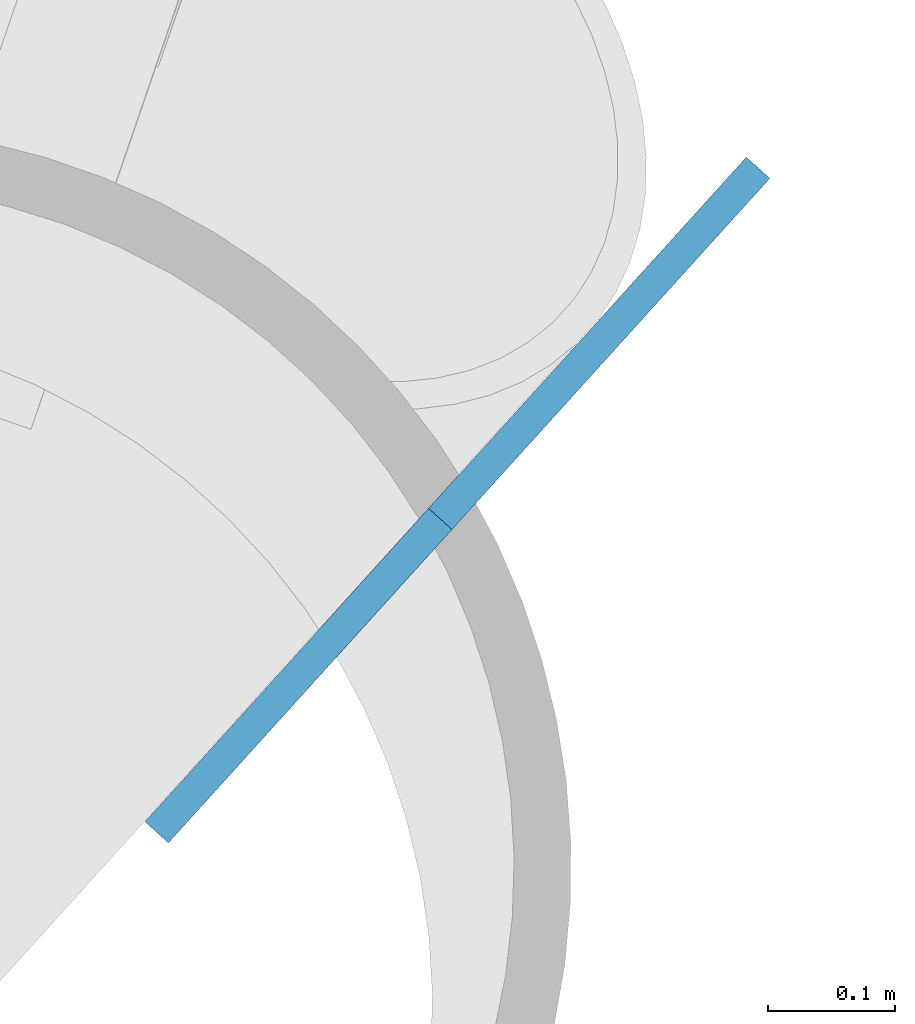
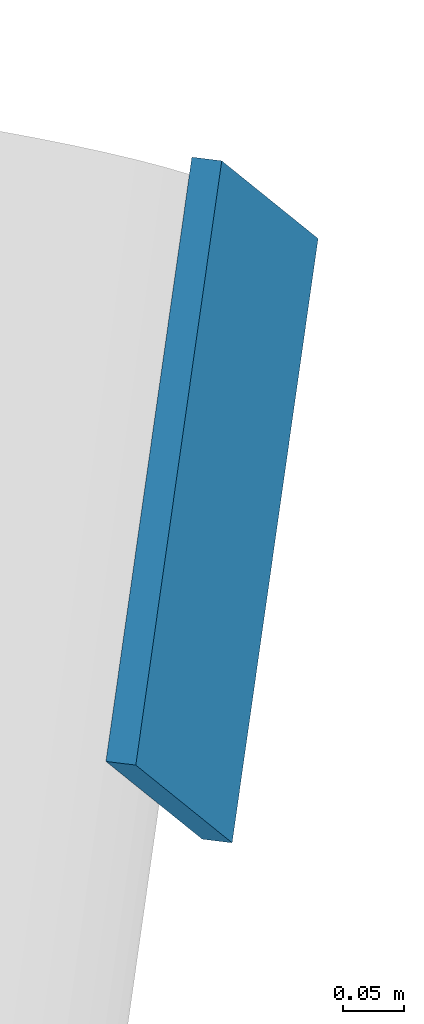
# One storey, part 11 of 23: 1 discrete accessory.
"""IFC4 building model written with IfcOpenShell, lengths in metres."""

from ifc_helpers import new_model, si_unit, direction, frame, origin, origin_2d, place, context, subcontext, project, spatial, rectangle, extrude, material, material_profile, profile_set, type_object, element, save


model = new_model("IFC4")

# Units and contexts
model_context = context("Model", 3, precision=1e-05, world=origin(), true_north=direction((0.0, 1.0)))
body_context = subcontext(model_context, "Body", "Model", "MODEL_VIEW")
ifc_project = project(units=[si_unit("LENGTHUNIT", "METRE"), si_unit("AREAUNIT", "SQUARE_METRE"), si_unit("VOLUMEUNIT", "CUBIC_METRE"), si_unit("PLANEANGLEUNIT", "RADIAN"), si_unit("MASSUNIT", "GRAM", prefix="KILO")], contexts=[model_context])

# Site, building, storey
site_placement = place(None, origin())
site = spatial("IfcSite", under=ifc_project, at=site_placement, CompositionType="ELEMENT")
building_placement = place(site_placement, origin())
building = spatial("IfcBuilding", under=site, at=building_placement, Name="Tarsis Ring Headquarters", CompositionType="ELEMENT")
storey_placement = place(building_placement, frame((0.0, 0.0, 131.800048828125)))
storey = spatial("IfcBuildingStorey", under=building, at=storey_placement, Name="L30", CompositionType="ELEMENT", Elevation=131.800048828125)

# Discrete accessory
ifc_material = material(Name="Structural steel S355", Category="steel")
ifc_material_profile = material_profile(ifc_material, rectangle(XDim=0.02490234375, YDim=0.5, at=origin_2d()), Name="PL 25x500")
ifc_profile_set = profile_set([ifc_material_profile], Name="Structural steel S355")
discrete_accessory_type = type_object("IfcDiscreteAccessoryType", Name="Gusset plate Exo brace 25", PredefinedType="BRACKET", material=ifc_profile_set)
discrete_accessory_placement = place(storey_placement, frame((25.431396484375, -14.6689453125, 7.800048828125), z_axis=(-0.446623874254, -0.493482772536, -0.746325577852), x_axis=(0.741431526339, -0.67102853274, 0.0)))
element("IfcDiscreteAccessory", 1, at=discrete_accessory_placement, inside=storey, type_object=discrete_accessory_type, Name="Gusset plate GP5", PredefinedType="BRACKET", context=body_context, shape_type="SweptSolid", body=[
    extrude(rectangle(XDim=0.02490234375, YDim=0.5, at=origin_2d()), origin(), (0.0, 0.0, 1.0), 0.500244140625),
])

save(model, "model.ifc")
